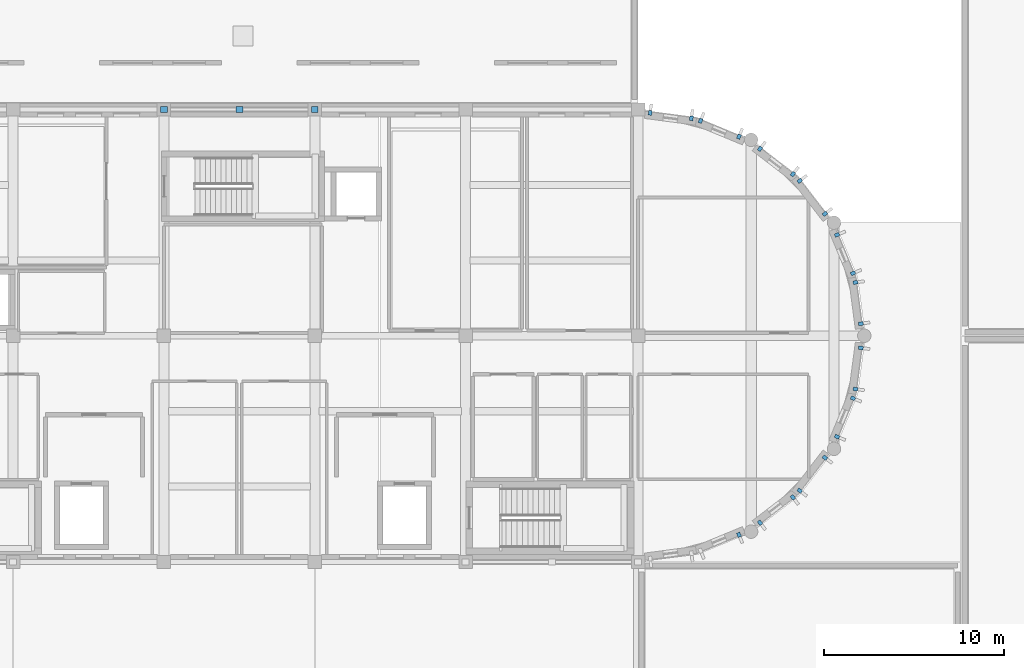
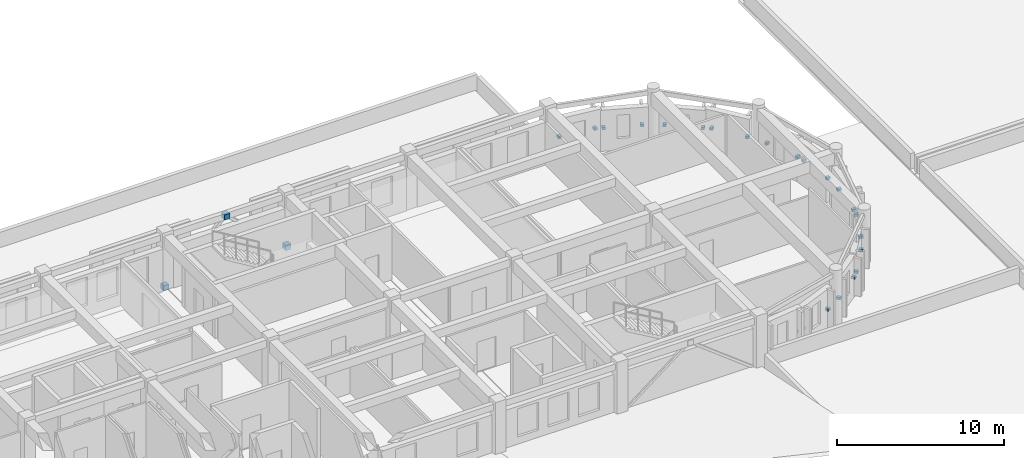
# One storey, part 32 of 46: 24 discrete accessories.
"""IFC4 building model written with IfcOpenShell, lengths in metres."""

from ifc_helpers import new_model, si_unit, direction, frame, origin, origin_2d, place, context, subcontext, project, spatial, rectangle, extrude, material, type_object, element, save


model = new_model("IFC4")

# Units and contexts
model_context = context("Model", 3, precision=1e-05, world=origin(), true_north=direction((0.0, 1.0)))
body_context = subcontext(model_context, "Body", "Model", "MODEL_VIEW")
ifc_project = project(units=[si_unit("LENGTHUNIT", "METRE"), si_unit("AREAUNIT", "SQUARE_METRE"), si_unit("VOLUMEUNIT", "CUBIC_METRE"), si_unit("PLANEANGLEUNIT", "RADIAN"), si_unit("MASSUNIT", "GRAM", prefix="KILO")], contexts=[model_context])

# Site, building, storey
site_placement = place(None, origin())
site = spatial("IfcSite", under=ifc_project, at=site_placement, CompositionType="ELEMENT")
building_placement = place(site_placement, origin())
building = spatial("IfcBuilding", under=site, at=building_placement, Name="Tarnavel Promenade Courthouse", CompositionType="ELEMENT")
storey_placement = place(building_placement, frame((0.0, 0.0, 14.39990234375)))
storey = spatial("IfcBuildingStorey", under=building, at=storey_placement, Name="L04", CompositionType="ELEMENT", Elevation=14.39990234375)

# Discrete accessories
ifc_material = material(Name="Steel S355J2", Category="steel")
discrete_accessory_type_1 = type_object("IfcDiscreteAccessoryType", Name="Steel S355J2 Facade Pier Anchor Bracket", PredefinedType="BRACKET", material=ifc_material)
for number, where, z_axis, x_axis, name in (
    (1, (107.61962890625, 80.714599609375, 1.4052734375), (0.0, 0.0, 1.0), (0.923879532511, 0.382683432365, 0.0), "L04 Drum Pier Bracket 0114"),
    (2, (108.79052734375, 81.390380859375, 1.4052734375), (0.0, 0.0, 1.0), (0.793353340291, 0.608761429009, 0.0), "L04 Drum Pier Bracket 0115"),
    (3, (110.62646484375, 82.79931640625, 1.4052734375), (0.0, 0.0, 1.0), (0.793353340291, 0.608761429009, 0.0), "L04 Drum Pier Bracket 0116"),
    (4, (111.000732421875, 83.173583984375, 1.455078125), (0.0, 0.0, 1.0), (0.608761429009, 0.793353340291, 0.0), "L04 Drum Pier Bracket 0117"),
    (5, (112.409423828125, 85.009521484375, 1.455078125), (0.0, 0.0, 1.0), (0.608761429009, 0.793353340291, 0.0), "L04 Drum Pier Bracket 0118"),
    (6, (113.08544921875, 86.180419921875, 1.455078125), (0.0, 0.0, 1.0), (0.382683432365, 0.923879532511, 0.0), "L04 Drum Pier Bracket 0119"),
    (7, (113.97119140625, 88.318603515625, 1.455078125), (0.0, 0.0, 1.0), (0.382683432365, 0.923879532511, 0.0), "L04 Drum Pier Bracket 0120"),
    (8, (114.108154296875, 88.82958984375, 1.455078125), (0.0, 0.0, 1.0), (0.13052619222, 0.991444861374, 0.0), "L04 Drum Pier Bracket 0121"),
    (9, (114.41015625, 91.1240234375, 1.455078125), (0.0, 0.0, 1.0), (0.13052619222, 0.991444861374, 0.0), "L04 Drum Pier Bracket 0122"),
    (10, (114.41015625, 92.47607421875, 1.455078125), (0.0, 0.0, 1.0), (-0.13052619222, 0.991444861374, 0.0), "L04 Drum Pier Bracket 0123"),
    (11, (114.108154296875, 94.7705078125, 1.455078125), (0.0, 0.0, 1.0), (-0.13052619222, 0.991444861374, 0.0), "L04 Drum Pier Bracket 0124"),
    (12, (113.97119140625, 95.281494140625, 1.455078125), (0.0, 0.0, 1.0), (-0.382683432365, 0.923879532511, 0.0), "L04 Drum Pier Bracket 0125"),
    (13, (113.08544921875, 97.419677734375, 1.455078125), (0.0, 0.0, 1.0), (-0.382683432365, 0.923879532511, 0.0), "L04 Drum Pier Bracket 0126"),
    (14, (112.409423828125, 98.590576171875, 1.455078125), (0.0, 0.0, 1.0), (-0.608761429009, 0.793353340291, 0.0), "L04 Drum Pier Bracket 0127"),
    (15, (111.000732421875, 100.426513671875, 1.455078125), (0.0, 0.0, 1.0), (-0.608761429009, 0.793353340291, 0.0), "L04 Drum Pier Bracket 0128"),
    (16, (110.62646484375, 100.80078125, 1.4052734375), (0.0, 0.0, 1.0), (-0.793353340291, 0.608761429009, 0.0), "L04 Drum Pier Bracket 0129"),
    (17, (108.79052734375, 102.20947265625, 1.4052734375), (0.0, 0.0, 1.0), (-0.793353340291, 0.608761429009, 0.0), "L04 Drum Pier Bracket 0130"),
    (18, (107.61962890625, 102.885498046875, 1.4052734375), (0.0, 0.0, 1.0), (-0.923879532511, 0.382683432365, 0.0), "L04 Drum Pier Bracket 0131"),
    (19, (105.4814453125, 103.77099609375, 1.4052734375), (0.0, 0.0, 1.0), (-0.923879532511, 0.382683432365, 0.0), "L04 Drum Pier Bracket 0132"),
    (20, (104.970458984375, 103.908203125, 1.455078125), (0.0, 0.0, 1.0), (-0.991444861374, 0.13052619222, 0.0), "L04 Drum Pier Bracket 0133"),
    (21, (102.676025390625, 104.210205078125, 1.455078125), (0.0, 0.0, 1.0), (-0.991444861374, 0.13052619222, 0.0), "L04 Drum Pier Bracket 0134"),
):
    element("IfcDiscreteAccessory", number, at=place(storey_placement, frame(where, z_axis=z_axis, x_axis=x_axis)), inside=storey, type_object=discrete_accessory_type_1, Name=name, PredefinedType="BRACKET", context=body_context, shape_type="SweptSolid", body=[
        extrude(rectangle(XDim=0.199951171875, YDim=0.260009765625, at=origin_2d()), origin(), (0.0, 0.0, 1.0), 0.179931640625),
    ])
discrete_accessory_type_2 = type_object("IfcDiscreteAccessoryType", Name="Steel S355J2 Structural Connection Bracket", PredefinedType="BRACKET", material=ifc_material)
for number, where, z_axis, x_axis, name in (
    (22, (75.60009765625, 104.39990234375, -0.18994140625), (0.0, 0.0, 1.0), (1.0, 0.0, 0.0), "L04 V5 Chevron Brace Gusset Node 022-L"),
    (23, (79.800048828125, 104.39990234375, 3.51513671875), (0.0, 0.0, 1.0), (1.0, 0.0, 0.0), "L04 V5 Chevron Brace Gusset Node 022-M"),
    (24, (84.0, 104.39990234375, -0.18994140625), (0.0, 0.0, 1.0), (1.0, 0.0, 0.0), "L04 V5 Chevron Brace Gusset Node 022-R"),
):
    element("IfcDiscreteAccessory", number, at=place(storey_placement, frame(where, z_axis=z_axis, x_axis=x_axis)), inside=storey, type_object=discrete_accessory_type_2, Name=name, PredefinedType="BRACKET", context=body_context, shape_type="SweptSolid", body=[
        extrude(rectangle(XDim=0.3798828125, YDim=0.360107421875, at=origin_2d()), origin(), (0.0, 0.0, 1.0), 0.3798828125),
    ])

save(model, "model.ifc")
